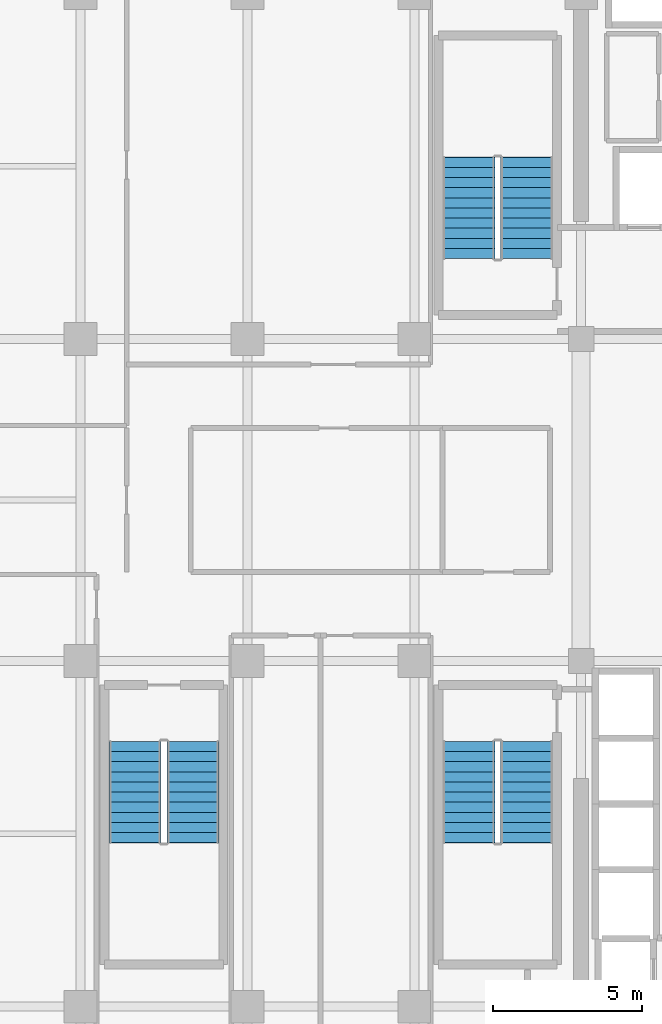
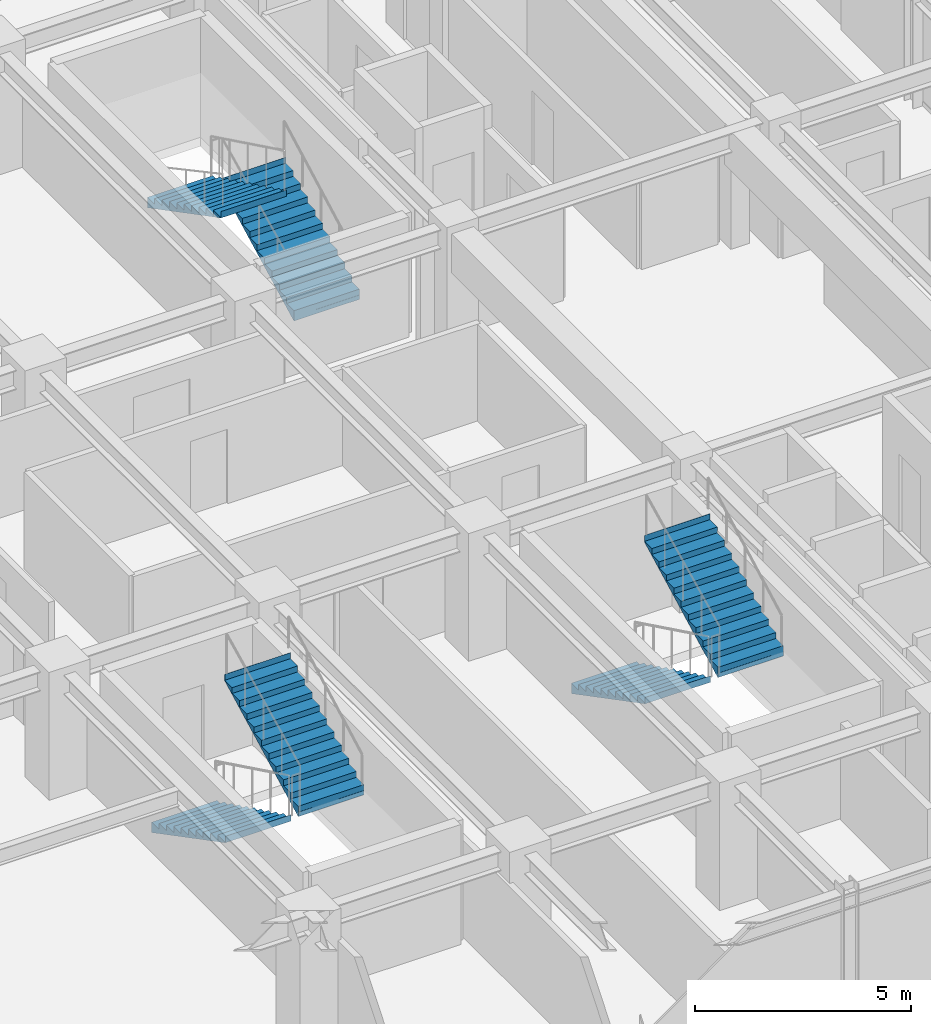
# One storey, part 28 of 31: 6 stair flights, 3 elements without a shape of their own.
"""IFC4 building model written with IfcOpenShell, lengths in metres."""

import ifcopenshell
import ifcopenshell.guid

model = None  # the IFC model being written
_history = None  # IfcOwnerHistory: only IFC2X3 demands one
_inside = {}  # id of a spatial element -> (the spatial element, [elements in it])
_under = {}  # id of a project, library or spatial element -> (it, [spatial elements below it])
_declared = {}  # id of a project -> (the project, [libraries it declares])
_typed = {}  # id of a type object -> (the type object, [elements of that type])
_made_of = {}  # id of a material, layer set ... -> (it, [elements and type objects made of it])


def new_model(schema):
    """Start an empty IFC model of exactly this schema.

    Asked for "IFC4X3", IfcOpenShell would pick the latest addendum, in which some entities
    have other attributes; the version numbers below select the first issue.
    IFC2X3 requires an IfcOwnerHistory on every rooted entity: one is made here for all.
    """
    global model, _history
    if schema == "IFC4X3":
        model = ifcopenshell.file(schema_version=(4, 3, 0, 0))
    else:
        model = ifcopenshell.file(schema=schema)
    _inside.clear()
    _under.clear()
    _declared.clear()
    _typed.clear()
    _made_of.clear()
    _history = None
    if model.schema == "IFC2X3":
        org = make("IfcOrganization", Name="unknown")
        user = make(
            "IfcPersonAndOrganization",
            ThePerson=make("IfcPerson", FamilyName="unknown"),
            TheOrganization=org,
        )
        app = make(
            "IfcApplication",
            ApplicationDeveloper=org,
            Version="unknown",
            ApplicationFullName="unknown",
            ApplicationIdentifier="unknown",
        )
        _history = make(
            "IfcOwnerHistory",
            OwningUser=user,
            OwningApplication=app,
            ChangeAction="ADDED",
            CreationDate=0,
        )
    return model


def make(cls, **values):
    """One entity of the class cls with the attributes given. An attribute that is None is left unset."""
    return model.create_entity(
        cls, **{name: value for name, value in values.items() if value is not None}
    )


def rooted(cls, **values):
    """An entity with a GlobalId (a new one), such as an element, a storey or a relation."""
    return make(cls, GlobalId=ifcopenshell.guid.new(), OwnerHistory=_history, **values)


def si_unit(unit_type, name, prefix=None):
    """IfcSIUnit, for example si_unit("LENGTHUNIT", "METRE", prefix="MILLI")."""
    return make("IfcSIUnit", UnitType=unit_type, Prefix=prefix, Name=name)


def assignment(units):
    """IfcUnitAssignment: the units of a project."""
    return None if units is None else make("IfcUnitAssignment", Units=units)


def point(xyz):
    """IfcCartesianPoint."""
    return None if xyz is None else make("IfcCartesianPoint", Coordinates=xyz)


def direction(xyz):
    """IfcDirection."""
    return None if xyz is None else make("IfcDirection", DirectionRatios=xyz)


def frame(location, z_axis=None, x_axis=None):
    """IfcAxis2Placement3D, a coordinate frame: its origin and axes. An axis left out is left unset."""
    return make(
        "IfcAxis2Placement3D",
        Location=point(location),
        Axis=direction(z_axis),
        RefDirection=direction(x_axis),
    )


def origin():
    """The frame at (0, 0, 0) with its axes left unset."""
    return frame((0.0, 0.0, 0.0))


def place(relative_to, where):
    """IfcLocalPlacement: puts the frame where relative to a parent placement (None: the world)."""
    return make(
        "IfcLocalPlacement", PlacementRelTo=relative_to, RelativePlacement=where
    )


def context(
    kind, dimensions, precision=None, world=None, true_north=None, identifier=None
):
    """IfcGeometricRepresentationContext, for example the 3D "Model" context."""
    return make(
        "IfcGeometricRepresentationContext",
        ContextIdentifier=identifier,
        ContextType=kind,
        CoordinateSpaceDimension=dimensions,
        Precision=precision,
        WorldCoordinateSystem=world,
        TrueNorth=true_north,
    )


def subcontext(parent, identifier, kind, view, scale=None):
    """IfcGeometricRepresentationSubContext, for example "Body" below "Model"."""
    return make(
        "IfcGeometricRepresentationSubContext",
        ContextIdentifier=identifier,
        ContextType=kind,
        ParentContext=parent,
        TargetScale=scale,
        TargetView=view,
    )


def project(units=None, contexts=None):
    """IfcProject with its units and contexts."""
    return rooted(
        "IfcProject",
        Name="project",
        RepresentationContexts=contexts,
        UnitsInContext=assignment(units),
    )


def spatial(cls, under=None, at=None, **own):
    """A site, building, storey or space (cls), placed at a placement, below another one or the project."""
    s = rooted(cls, ObjectPlacement=at, **own)
    if under is not None:
        _under.setdefault(under.id(), (under, []))[1].append(s)
    return s


def polyline(points):
    """IfcPolyline through the points."""
    return make("IfcPolyline", Points=[point(p) for p in points])


def outline(outer, holes=None, kind="AREA"):
    """IfcArbitraryClosedProfileDef: a profile drawn as a closed curve; with holes, ...WithVoids."""
    if holes is None:
        return make("IfcArbitraryClosedProfileDef", ProfileType=kind, OuterCurve=outer)
    return make(
        "IfcArbitraryProfileDefWithVoids",
        ProfileType=kind,
        OuterCurve=outer,
        InnerCurves=holes,
    )


def extrude(swept, where, along, depth):
    """IfcExtrudedAreaSolid: the profile swept, set in the frame where, extruded along a direction by depth."""
    return make(
        "IfcExtrudedAreaSolid",
        SweptArea=swept,
        Position=where,
        ExtrudedDirection=direction(along),
        Depth=depth,
    )


def shape(context_of_items, identifier, shape_type, items):
    """IfcShapeRepresentation: the items that make up one representation, for example the "Body"."""
    return make(
        "IfcShapeRepresentation",
        ContextOfItems=context_of_items,
        RepresentationIdentifier=identifier,
        RepresentationType=shape_type,
        Items=items,
    )


def source(mapping_origin, context_of_items, identifier, shape_type, items):
    """IfcRepresentationMap: a shape defined once, which mapped items show again and again."""
    return make(
        "IfcRepresentationMap",
        MappingOrigin=mapping_origin,
        MappedRepresentation=shape(context_of_items, identifier, shape_type, items),
    )


def transform(
    local_origin,
    x_axis=None,
    y_axis=None,
    z_axis=None,
    scale=None,
    scale2=None,
    scale3=None,
    uniform=True,
):
    """IfcCartesianTransformationOperator3D, or its non-uniform kind. x_axis, y_axis, z_axis: its Axis1, 2, 3."""
    if uniform:
        return make(
            "IfcCartesianTransformationOperator3D",
            Axis1=direction(x_axis),
            Axis2=direction(y_axis),
            LocalOrigin=point(local_origin),
            Scale=scale,
            Axis3=direction(z_axis),
        )
    return make(
        "IfcCartesianTransformationOperator3DnonUniform",
        Axis1=direction(x_axis),
        Axis2=direction(y_axis),
        LocalOrigin=point(local_origin),
        Scale=scale,
        Axis3=direction(z_axis),
        Scale2=scale2,
        Scale3=scale3,
    )


def mapped(mapping_source, mapping_target):
    """IfcMappedItem: shows the shape of a source again, moved by a transform."""
    return make(
        "IfcMappedItem", MappingSource=mapping_source, MappingTarget=mapping_target
    )


def material(Name=None, Category=None):
    """IfcMaterial."""
    return make("IfcMaterial", Name=Name, Category=Category)


def layer(
    of_material, thickness, ventilated=None, Name=None, Category=None, Priority=None
):
    """IfcMaterialLayer: one layer of a wall or slab, of a material (None: an air gap)."""
    return make(
        "IfcMaterialLayer",
        Material=of_material,
        LayerThickness=thickness,
        IsVentilated=ventilated,
        Name=Name,
        Category=Category,
        Priority=Priority,
    )


def layer_set(layers, Name=None):
    """IfcMaterialLayerSet."""
    return make("IfcMaterialLayerSet", MaterialLayers=layers, LayerSetName=Name)


def made_of(thing, what):
    """Note that an element or type object is made of a material, layer set ...; save() writes the relation."""
    if what is not None:
        _made_of.setdefault(what.id(), (what, []))[1].append(thing)
    return thing


def type_object(cls, material=None, **own):
    """A type object (cls), such as IfcWallType, which elements share."""
    return made_of(rooted(cls, **own), material)


def element(
    cls,
    number,
    at=None,
    inside=None,
    cuts=None,
    type_object=None,
    material=None,
    context=None,
    identifier="Body",
    shape_type=None,
    held_by="IfcProductDefinitionShape",
    body=None,
    shapes=None,
    **own,
):
    """One element of the class cls, such as IfcWall. Its Tag is "e" and its number.

    at: its placement. inside: the storey or other place that contains it. cuts: it is an
    opening in that element (IfcRelVoidsElement). A single representation is given by context,
    identifier, shape_type and body (its items); several are given by shapes. held_by: the class
    of the entity that holds the representations. save() writes the other relations.
    """
    e = rooted(cls, Tag="e%d" % number, ObjectPlacement=at, **own)
    if body is not None:
        shapes = [shape(context, identifier, shape_type, body)]
    if shapes is not None:
        e.Representation = make(held_by, Representations=shapes)
    if inside is not None:
        _inside.setdefault(inside.id(), (inside, []))[1].append(e)
    if cuts is not None:
        rooted(
            "IfcRelVoidsElement", RelatingBuildingElement=cuts, RelatedOpeningElement=e
        )
    if type_object is not None:
        _typed.setdefault(type_object.id(), (type_object, []))[1].append(e)
    return made_of(e, material)


def aggregate(whole, parts):
    """IfcRelAggregates: a whole, such as a stair, and the parts it consists of."""
    return rooted("IfcRelAggregates", RelatingObject=whole, RelatedObjects=parts)


def save(model, path):
    """Write the relations noted so far, then the file.

    IfcRelAggregates (storeys below a building ...), IfcRelContainedInSpatialStructure (elements
    in a storey), IfcRelDefinesByType, IfcRelAssociatesMaterial and IfcRelDeclares: one each for
    every whole, place, type object, material and project.
    """
    for whole, parts in _under.values():
        aggregate(whole, parts)
    for where, things in _inside.values():
        rooted(
            "IfcRelContainedInSpatialStructure",
            RelatedElements=things,
            RelatingStructure=where,
        )
    for kind, things in _typed.values():
        rooted("IfcRelDefinesByType", RelatedObjects=things, RelatingType=kind)
    for what, things in _made_of.values():
        rooted("IfcRelAssociatesMaterial", RelatedObjects=things, RelatingMaterial=what)
    for by, libraries in _declared.values():
        rooted("IfcRelDeclares", RelatingContext=by, RelatedDefinitions=libraries)
    model.write(path)


model = new_model("IFC4")

# Units and contexts
model_context = context("Model", 3, precision=1e-05, world=origin(), true_north=direction((0.0, 1.0)))
body_context = subcontext(model_context, "Body", "Model", "MODEL_VIEW")
ifc_project = project(units=[si_unit("LENGTHUNIT", "METRE"), si_unit("AREAUNIT", "SQUARE_METRE"), si_unit("VOLUMEUNIT", "CUBIC_METRE"), si_unit("PLANEANGLEUNIT", "RADIAN"), si_unit("MASSUNIT", "GRAM", prefix="KILO")], contexts=[model_context])

# Site, building, storey
site_placement = place(None, origin())
site = spatial("IfcSite", under=ifc_project, at=site_placement, CompositionType="ELEMENT")
building_placement = place(site_placement, origin())
building = spatial("IfcBuilding", under=site, at=building_placement, Name="Nahalor Promenade Grand Hotel", CompositionType="ELEMENT")
storey_placement = place(building_placement, frame((0.0, 0.0, 192.800048828125)))
storey = spatial("IfcBuildingStorey", under=building, at=storey_placement, Name="L49", CompositionType="ELEMENT", Elevation=192.800048828125)

# Stair, stair flights
ifc_material = material(Name="Concrete B-50 (C40/50)", Category="concrete")
stair_type_1 = type_object("IfcStairType", Name="Stair-ST1", PredefinedType="HALF_TURN_STAIR", material=ifc_material)
stair_1_placement = place(storey_placement, origin())
stair_1 = element("IfcStair", 1, at=stair_1_placement, inside=storey, type_object=stair_type_1, Name="L49 ST1", PredefinedType="HALF_TURN_STAIR")
ifc_layer_1 = layer(ifc_material, 0.179931640625)
ifc_layer_set_1 = layer_set([ifc_layer_1], Name="Concrete B-50 (C40/50)")
stair_flight_type_1 = type_object("IfcStairFlightType", Name="Flight-ST1", PredefinedType="STRAIGHT", material=ifc_layer_set_1)
shared_shape_1 = source(origin(), body_context, "Body", "SweptSolid", [
    extrude(outline(polyline([(-0.00390625, -0.1201171875), (-0.00390625, 0.0), (0.0, 0.0), (0.0, 0.166015625), (0.340087890625, 0.166015625), (0.340087890625, 0.331787109375), (0.679931640625, 0.331787109375), (0.679931640625, 0.497802734375), (1.02001953125, 0.497802734375), (1.02001953125, 0.66357421875), (1.360107421875, 0.66357421875), (1.360107421875, 0.82958984375), (1.699951171875, 0.82958984375), (1.699951171875, 0.995361328125), (2.0400390625, 0.995361328125), (2.0400390625, 1.161376953125), (2.3798828125, 1.161376953125), (2.3798828125, 1.327392578125), (2.719970703125, 1.327392578125), (2.719970703125, 1.4931640625), (3.06005859375, 1.4931640625), (3.06005859375, 1.6591796875), (3.39990234375, 1.6591796875), (3.39990234375, 1.824951171875), (3.404052734375, 1.824951171875), (3.404052734375, 1.64501953125), (0.02001953125, -0.1201171875), (-0.00390625, -0.1201171875)])), frame((0.0, 0.875, 0.0), z_axis=(0.0, -1.0, 0.0), x_axis=(1.0, 0.0, 0.0)), (0.0, 0.0, 1.0), 1.75),
])
stair_flight_1_placement = place(storey_placement, frame((6.574951171875, 8.10009765625, 0.0), z_axis=(0.0, 0.0, 1.0), x_axis=(0.0, 1.0, 0.0)))
stair_flight_1 = element("IfcStairFlight", 2, at=stair_flight_1_placement, type_object=stair_flight_type_1, Name="ST1 flight 1", NumberOfRisers=11, NumberOfTreads=10, PredefinedType="STRAIGHT", RiserHeight=0.165909091, TreadLength=0.34, context=body_context, shape_type="MappedRepresentation", body=[
    mapped(shared_shape_1, transform((0.0, 0.0, 0.0), scale=1.0)),
])
stair_flight_2_placement = place(storey_placement, frame((4.625, 11.5, 1.824951171875), z_axis=(0.0, 0.0, 1.0), x_axis=(0.0, -1.0, 0.0)))
stair_flight_2 = element("IfcStairFlight", 3, at=stair_flight_2_placement, type_object=stair_flight_type_1, Name="ST1 flight 2", NumberOfRisers=11, NumberOfTreads=10, PredefinedType="STRAIGHT", RiserHeight=0.165909091, TreadLength=0.34, context=body_context, shape_type="MappedRepresentation", body=[
    mapped(shared_shape_1, transform((0.0, 0.0, 0.0), scale=1.0)),
])
aggregate(stair_1, [stair_flight_1, stair_flight_2])

stair_type_2 = type_object("IfcStairType", Name="Stair-ST2", PredefinedType="HALF_TURN_STAIR", material=ifc_material)
stair_2_placement = place(storey_placement, origin())
stair_2 = element("IfcStair", 4, at=stair_2_placement, inside=storey, type_object=stair_type_2, Name="L49 ST2", PredefinedType="HALF_TURN_STAIR")
ifc_layer_2 = layer(ifc_material, 0.18994140625)
ifc_layer_set_2 = layer_set([ifc_layer_2], Name="Concrete B-50 (C40/50)")
stair_flight_type_2 = type_object("IfcStairFlightType", Name="Flight-ST2", PredefinedType="STRAIGHT", material=ifc_layer_set_2)
shared_shape_2 = source(origin(), body_context, "Body", "SweptSolid", [
    extrude(outline(polyline([(-0.00390625, -0.1201171875), (-0.00390625, 0.0), (0.0, 0.0), (0.0, 0.166015625), (0.340087890625, 0.166015625), (0.340087890625, 0.331787109375), (0.679931640625, 0.331787109375), (0.679931640625, 0.497802734375), (1.02001953125, 0.497802734375), (1.02001953125, 0.66357421875), (1.360107421875, 0.66357421875), (1.360107421875, 0.82958984375), (1.699951171875, 0.82958984375), (1.699951171875, 0.995361328125), (2.0400390625, 0.995361328125), (2.0400390625, 1.161376953125), (2.3798828125, 1.161376953125), (2.3798828125, 1.327392578125), (2.719970703125, 1.327392578125), (2.719970703125, 1.4931640625), (3.06005859375, 1.4931640625), (3.06005859375, 1.6591796875), (3.39990234375, 1.6591796875), (3.39990234375, 1.824951171875), (3.404052734375, 1.824951171875), (3.404052734375, 1.64501953125), (0.02001953125, -0.1201171875), (-0.00390625, -0.1201171875)])), frame((0.0, 0.875, 0.0), z_axis=(0.0, -1.0, 0.0), x_axis=(1.0, 0.0, 0.0)), (0.0, 0.0, 1.0), 1.75),
])
stair_flight_3_placement = place(storey_placement, frame((4.625, -8.10009765625, 0.0), z_axis=(0.0, 0.0, 1.0), x_axis=(0.0, -1.0, 0.0)))
stair_flight_3 = element("IfcStairFlight", 5, at=stair_flight_3_placement, type_object=stair_flight_type_2, Name="ST2 flight 1", NumberOfRisers=11, NumberOfTreads=10, PredefinedType="STRAIGHT", RiserHeight=0.165909091, TreadLength=0.34, context=body_context, shape_type="MappedRepresentation", body=[
    mapped(shared_shape_2, transform((0.0, 0.0, 0.0), scale=1.0)),
])
stair_flight_4_placement = place(storey_placement, frame((6.574951171875, -11.5, 1.824951171875), z_axis=(0.0, 0.0, 1.0), x_axis=(0.0, 1.0, 0.0)))
stair_flight_4 = element("IfcStairFlight", 6, at=stair_flight_4_placement, type_object=stair_flight_type_2, Name="ST2 flight 2", NumberOfRisers=11, NumberOfTreads=10, PredefinedType="STRAIGHT", RiserHeight=0.165909091, TreadLength=0.34, context=body_context, shape_type="MappedRepresentation", body=[
    mapped(shared_shape_2, transform((0.0, 0.0, 0.0), scale=1.0)),
])
aggregate(stair_2, [stair_flight_3, stair_flight_4])

stair_type_3 = type_object("IfcStairType", Name="Stair-ST3", PredefinedType="HALF_TURN_STAIR", material=ifc_material)
stair_3_placement = place(storey_placement, origin())
stair_3 = element("IfcStair", 7, at=stair_3_placement, inside=storey, type_object=stair_type_3, Name="L49 ST3", PredefinedType="HALF_TURN_STAIR")
ifc_layer_3 = layer(ifc_material, 0.199951171875)
ifc_layer_set_3 = layer_set([ifc_layer_3], Name="Concrete B-50 (C40/50)")
stair_flight_type_3 = type_object("IfcStairFlightType", Name="Flight-ST3", PredefinedType="STRAIGHT", material=ifc_layer_set_3)
shared_shape_3 = source(origin(), body_context, "Body", "SweptSolid", [
    extrude(outline(polyline([(-0.00390625, -0.1201171875), (-0.00390625, 0.0), (0.0, 0.0), (0.0, 0.166015625), (0.340087890625, 0.166015625), (0.340087890625, 0.331787109375), (0.679931640625, 0.331787109375), (0.679931640625, 0.497802734375), (1.02001953125, 0.497802734375), (1.02001953125, 0.66357421875), (1.360107421875, 0.66357421875), (1.360107421875, 0.82958984375), (1.699951171875, 0.82958984375), (1.699951171875, 0.995361328125), (2.0400390625, 0.995361328125), (2.0400390625, 1.161376953125), (2.3798828125, 1.161376953125), (2.3798828125, 1.327392578125), (2.719970703125, 1.327392578125), (2.719970703125, 1.4931640625), (3.06005859375, 1.4931640625), (3.06005859375, 1.6591796875), (3.39990234375, 1.6591796875), (3.39990234375, 1.824951171875), (3.404052734375, 1.824951171875), (3.404052734375, 1.64501953125), (0.02001953125, -0.1201171875), (-0.00390625, -0.1201171875)])), frame((0.0, 0.875, 0.0), z_axis=(0.0, -1.0, 0.0), x_axis=(1.0, 0.0, 0.0)), (0.0, 0.0, 1.0), 1.75),
])
stair_flight_5_placement = place(storey_placement, frame((-6.574951171875, -8.10009765625, 0.0), z_axis=(0.0, 0.0, 1.0), x_axis=(0.0, -1.0, 0.0)))
stair_flight_5 = element("IfcStairFlight", 8, at=stair_flight_5_placement, type_object=stair_flight_type_3, Name="ST3 flight 1", NumberOfRisers=11, NumberOfTreads=10, PredefinedType="STRAIGHT", RiserHeight=0.165909091, TreadLength=0.34, context=body_context, shape_type="MappedRepresentation", body=[
    mapped(shared_shape_3, transform((0.0, 0.0, 0.0), scale=1.0)),
])
stair_flight_6_placement = place(storey_placement, frame((-4.625, -11.5, 1.824951171875), z_axis=(0.0, 0.0, 1.0), x_axis=(0.0, 1.0, 0.0)))
stair_flight_6 = element("IfcStairFlight", 9, at=stair_flight_6_placement, type_object=stair_flight_type_3, Name="ST3 flight 2", NumberOfRisers=11, NumberOfTreads=10, PredefinedType="STRAIGHT", RiserHeight=0.165909091, TreadLength=0.34, context=body_context, shape_type="MappedRepresentation", body=[
    mapped(shared_shape_3, transform((0.0, 0.0, 0.0), scale=1.0)),
])
aggregate(stair_3, [stair_flight_5, stair_flight_6])

save(model, "model.ifc")
